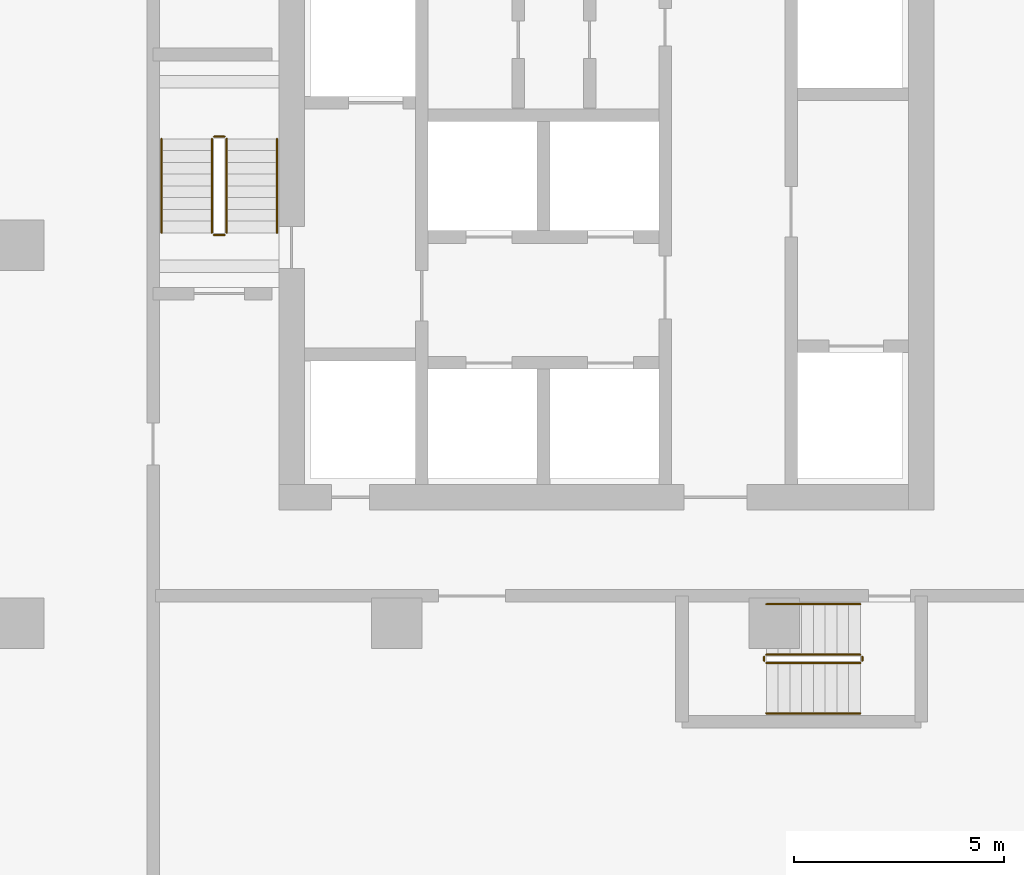
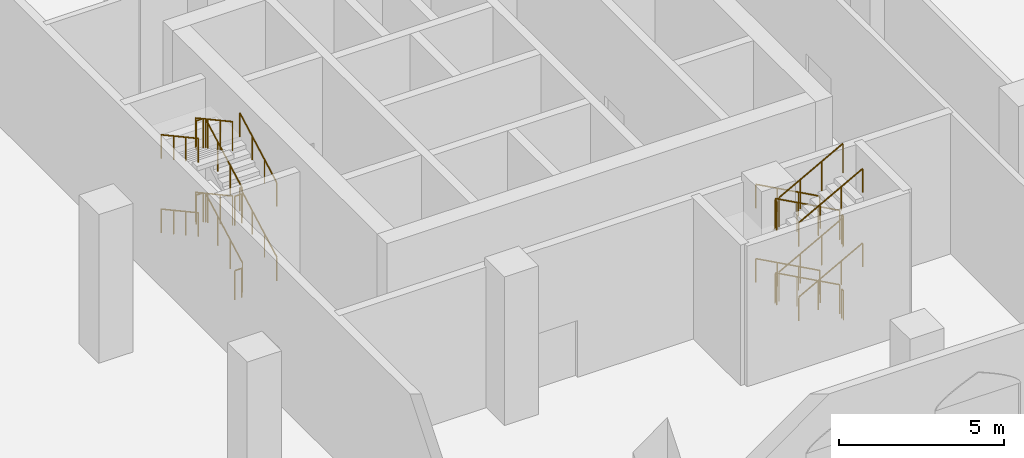
# One storey, part 30 of 31: 24 railings.
"""IFC4 building model written with IfcOpenShell, lengths in metres."""

from ifc_helpers import new_model, si_unit, direction, frame, origin, origin_2d, place, context, subcontext, project, spatial, circle, extrude, material, type_object, element, save


model = new_model("IFC4")

# Units and contexts
model_context = context("Model", 3, precision=1e-05, world=origin(), true_north=direction((0.0, 1.0)))
body_context = subcontext(model_context, "Body", "Model", "MODEL_VIEW")
ifc_project = project(units=[si_unit("LENGTHUNIT", "METRE"), si_unit("AREAUNIT", "SQUARE_METRE"), si_unit("VOLUMEUNIT", "CUBIC_METRE"), si_unit("PLANEANGLEUNIT", "RADIAN"), si_unit("MASSUNIT", "GRAM", prefix="KILO")], contexts=[model_context])

# Site, building, storey
site_placement = place(None, origin())
site = spatial("IfcSite", under=ifc_project, at=site_placement, CompositionType="ELEMENT")
building_placement = place(site_placement, origin())
building = spatial("IfcBuilding", under=site, at=building_placement, Name="Ogive Portal Towers", CompositionType="ELEMENT")
storey_placement = place(building_placement, frame((0.0, 0.0, 8.0)))
storey = spatial("IfcBuildingStorey", under=building, at=storey_placement, Name="L01", CompositionType="ELEMENT", Elevation=8.0)

# Railings
ifc_material_1 = material(Name="Stainless steel balustrade", Category="steel")
railing_type_1 = type_object("IfcRailingType", Name="INT-GUARD", PredefinedType="GUARDRAIL", material=ifc_material_1)
railing_1_placement = place(storey_placement, frame((127.449951171875, 30.800048828125, 0.15283203125)))
element("IfcRailing", 1, at=railing_1_placement, inside=storey, type_object=railing_type_1, Name="L01 ST-B1 stair guard 1", PredefinedType="GUARDRAIL", context=body_context, shape_type="SweptSolid", body=[
    extrude(circle(Radius=0.02392578125, at=origin_2d()), frame((0.0, 0.0, 1.076171875), z_axis=(0.0, 0.87783706319, 0.478959382924), x_axis=(-1.0, 0.0, 0.0)), (0.0, 0.0, 1.0), 2.5517578125),
    extrude(circle(Radius=0.02099609375, at=origin_2d()), origin(), (0.0, 0.0, 1.0), 1.052001953125),
    extrude(circle(Radius=0.02099609375, at=origin_2d()), frame((0.0, 0.74658203125, 0.407470703125)), (0.0, 0.0, 1.0), 1.052001953125),
    extrude(circle(Radius=0.02099609375, at=origin_2d()), frame((0.0, 1.493408203125, 0.814697265625)), (0.0, 0.0, 1.0), 1.052001953125),
    extrude(circle(Radius=0.02099609375, at=origin_2d()), frame((0.0, 2.239990234375, 1.22216796875)), (0.0, 0.0, 1.0), 1.052001953125),
])
railing_2_placement = place(storey_placement, frame((127.39990234375, 33.090087890625, 1.375)))
element("IfcRailing", 2, at=railing_2_placement, inside=storey, type_object=railing_type_1, Name="L01 ST-B1 stair guard 2", PredefinedType="GUARDRAIL", context=body_context, shape_type="SweptSolid", body=[
    extrude(circle(Radius=0.02392578125, at=origin_2d()), frame((0.0, 0.0, 1.076171875), z_axis=(-1.0, 0.0, 0.0), x_axis=(0.0, -1.0, 0.0)), (0.0, 0.0, 1.0), 0.25),
    extrude(circle(Radius=0.02099609375, at=origin_2d()), origin(), (0.0, 0.0, 1.0), 1.052001953125),
    extrude(circle(Radius=0.02099609375, at=origin_2d()), frame((-0.25, 0.0, 0.0)), (0.0, 0.0, 1.0), 1.052001953125),
])
railing_3_placement = place(storey_placement, frame((127.10009765625, 33.0400390625, 1.52783203125)))
element("IfcRailing", 3, at=railing_3_placement, inside=storey, type_object=railing_type_1, Name="L01 ST-B1 stair guard 3", PredefinedType="GUARDRAIL", context=body_context, shape_type="SweptSolid", body=[
    extrude(circle(Radius=0.02392578125, at=origin_2d()), frame((0.0, 0.0, 1.076171875), z_axis=(0.0, -0.87783706319, 0.478959382924), x_axis=(1.0, 0.0, 0.0)), (0.0, 0.0, 1.0), 2.5517578125),
    extrude(circle(Radius=0.02099609375, at=origin_2d()), origin(), (0.0, 0.0, 1.0), 1.052001953125),
    extrude(circle(Radius=0.02099609375, at=origin_2d()), frame((0.0, -0.74658203125, 0.407470703125)), (0.0, 0.0, 1.0), 1.052001953125),
    extrude(circle(Radius=0.02099609375, at=origin_2d()), frame((0.0, -1.493408203125, 0.814697265625)), (0.0, 0.0, 1.0), 1.052001953125),
    extrude(circle(Radius=0.02099609375, at=origin_2d()), frame((0.0, -2.239990234375, 1.22216796875)), (0.0, 0.0, 1.0), 1.052001953125),
])
railing_4_placement = place(storey_placement, frame((127.39990234375, 30.75, 2.75)))
element("IfcRailing", 4, at=railing_4_placement, inside=storey, type_object=railing_type_1, Name="L01 ST-B1 stair guard 4", PredefinedType="GUARDRAIL", context=body_context, shape_type="SweptSolid", body=[
    extrude(circle(Radius=0.02392578125, at=origin_2d()), frame((0.0, 0.0, 1.076171875), z_axis=(-1.0, 0.0, 0.0), x_axis=(0.0, -1.0, 0.0)), (0.0, 0.0, 1.0), 0.25),
    extrude(circle(Radius=0.02099609375, at=origin_2d()), origin(), (0.0, 0.0, 1.0), 1.052001953125),
    extrude(circle(Radius=0.02099609375, at=origin_2d()), frame((-0.25, 0.0, 0.0)), (0.0, 0.0, 1.0), 1.052001953125),
])
railing_5_placement = place(storey_placement, frame((127.449951171875, 30.800048828125, 2.90283203125)))
element("IfcRailing", 5, at=railing_5_placement, inside=storey, type_object=railing_type_1, Name="L01 ST-B1 stair guard 5", PredefinedType="GUARDRAIL", context=body_context, shape_type="SweptSolid", body=[
    extrude(circle(Radius=0.02392578125, at=origin_2d()), frame((0.0, 0.0, 1.076171875), z_axis=(0.0, 0.87783706319, 0.478959382924), x_axis=(-1.0, 0.0, 0.0)), (0.0, 0.0, 1.0), 2.5517578125),
    extrude(circle(Radius=0.02099609375, at=origin_2d()), origin(), (0.0, 0.0, 1.0), 1.052001953125),
    extrude(circle(Radius=0.02099609375, at=origin_2d()), frame((0.0, 0.74658203125, 0.407470703125)), (0.0, 0.0, 1.0), 1.052001953125),
    extrude(circle(Radius=0.02099609375, at=origin_2d()), frame((0.0, 1.493408203125, 0.814697265625)), (0.0, 0.0, 1.0), 1.052001953125),
    extrude(circle(Radius=0.02099609375, at=origin_2d()), frame((0.0, 2.239990234375, 1.22216796875)), (0.0, 0.0, 1.0), 1.052001953125),
])
railing_6_placement = place(storey_placement, frame((127.39990234375, 33.090087890625, 4.125)))
element("IfcRailing", 6, at=railing_6_placement, inside=storey, type_object=railing_type_1, Name="L01 ST-B1 stair guard 6", PredefinedType="GUARDRAIL", context=body_context, shape_type="SweptSolid", body=[
    extrude(circle(Radius=0.02392578125, at=origin_2d()), frame((0.0, 0.0, 1.076171875), z_axis=(-1.0, 0.0, 0.0), x_axis=(0.0, -1.0, 0.0)), (0.0, 0.0, 1.0), 0.25),
    extrude(circle(Radius=0.02099609375, at=origin_2d()), origin(), (0.0, 0.0, 1.0), 1.052001953125),
    extrude(circle(Radius=0.02099609375, at=origin_2d()), frame((-0.25, 0.0, 0.0)), (0.0, 0.0, 1.0), 1.052001953125),
])
railing_7_placement = place(storey_placement, frame((127.10009765625, 33.0400390625, 4.27783203125)))
element("IfcRailing", 7, at=railing_7_placement, inside=storey, type_object=railing_type_1, Name="L01 ST-B1 stair guard 7", PredefinedType="GUARDRAIL", context=body_context, shape_type="SweptSolid", body=[
    extrude(circle(Radius=0.02392578125, at=origin_2d()), frame((0.0, 0.0, 1.076171875), z_axis=(0.0, -0.87783706319, 0.478959382924), x_axis=(1.0, 0.0, 0.0)), (0.0, 0.0, 1.0), 2.5517578125),
    extrude(circle(Radius=0.02099609375, at=origin_2d()), origin(), (0.0, 0.0, 1.0), 1.052001953125),
    extrude(circle(Radius=0.02099609375, at=origin_2d()), frame((0.0, -0.74658203125, 0.407470703125)), (0.0, 0.0, 1.0), 1.052001953125),
    extrude(circle(Radius=0.02099609375, at=origin_2d()), frame((0.0, -1.493408203125, 0.814697265625)), (0.0, 0.0, 1.0), 1.052001953125),
    extrude(circle(Radius=0.02099609375, at=origin_2d()), frame((0.0, -2.239990234375, 1.22216796875)), (0.0, 0.0, 1.0), 1.052001953125),
])
railing_8_placement = place(storey_placement, frame((127.39990234375, 30.75, 0.0)))
element("IfcRailing", 8, at=railing_8_placement, inside=storey, type_object=railing_type_1, Name="L01 ST-B1 stair guard 8", PredefinedType="GUARDRAIL", context=body_context, shape_type="SweptSolid", body=[
    extrude(circle(Radius=0.02392578125, at=origin_2d()), frame((0.0, 0.0, 1.076171875), z_axis=(-1.0, 0.0, 0.0), x_axis=(0.0, -1.0, 0.0)), (0.0, 0.0, 1.0), 0.25),
    extrude(circle(Radius=0.02099609375, at=origin_2d()), origin(), (0.0, 0.0, 1.0), 1.052001953125),
    extrude(circle(Radius=0.02099609375, at=origin_2d()), frame((-0.25, 0.0, 0.0)), (0.0, 0.0, 1.0), 1.052001953125),
])
railing_9_placement = place(storey_placement, frame((142.550048828125, 20.75, 0.15283203125)))
element("IfcRailing", 9, at=railing_9_placement, inside=storey, type_object=railing_type_1, Name="L01 ST-B2 stair guard 1", PredefinedType="GUARDRAIL", context=body_context, shape_type="SweptSolid", body=[
    extrude(circle(Radius=0.02392578125, at=origin_2d()), frame((0.0, 0.0, 1.076171875), z_axis=(-0.87783706319, 0.0, 0.478959382924), x_axis=(0.0, -1.0, 0.0)), (0.0, 0.0, 1.0), 2.5517578125),
    extrude(circle(Radius=0.02099609375, at=origin_2d()), origin(), (0.0, 0.0, 1.0), 1.052001953125),
    extrude(circle(Radius=0.02099609375, at=origin_2d()), frame((-0.74658203125, 0.0, 0.407470703125)), (0.0, 0.0, 1.0), 1.052001953125),
    extrude(circle(Radius=0.02099609375, at=origin_2d()), frame((-1.493408203125, 0.0, 0.814697265625)), (0.0, 0.0, 1.0), 1.052001953125),
    extrude(circle(Radius=0.02099609375, at=origin_2d()), frame((-2.239990234375, 0.0, 1.22216796875)), (0.0, 0.0, 1.0), 1.052001953125),
])
railing_10_placement = place(storey_placement, frame((140.260009765625, 20.699951171875, 1.375)))
element("IfcRailing", 10, at=railing_10_placement, inside=storey, type_object=railing_type_1, Name="L01 ST-B2 stair guard 2", PredefinedType="GUARDRAIL", context=body_context, shape_type="SweptSolid", body=[
    extrude(circle(Radius=0.02392578125, at=origin_2d()), frame((0.0, 0.0, 1.076171875), z_axis=(0.0, -1.0, 0.0), x_axis=(1.0, 0.0, 0.0)), (0.0, 0.0, 1.0), 0.099853515625),
    extrude(circle(Radius=0.02099609375, at=origin_2d()), origin(), (0.0, 0.0, 1.0), 1.052001953125),
    extrude(circle(Radius=0.02099609375, at=origin_2d()), frame((0.0, -0.099853515625, 0.0)), (0.0, 0.0, 1.0), 1.052001953125),
])
railing_11_placement = place(storey_placement, frame((140.31005859375, 20.550048828125, 1.52783203125)))
element("IfcRailing", 11, at=railing_11_placement, inside=storey, type_object=railing_type_1, Name="L01 ST-B2 stair guard 3", PredefinedType="GUARDRAIL", context=body_context, shape_type="SweptSolid", body=[
    extrude(circle(Radius=0.02392578125, at=origin_2d()), frame((0.0, 0.0, 1.076171875), z_axis=(0.87783706319, 0.0, 0.478959382924), x_axis=(0.0, 1.0, 0.0)), (0.0, 0.0, 1.0), 2.5517578125),
    extrude(circle(Radius=0.02099609375, at=origin_2d()), origin(), (0.0, 0.0, 1.0), 1.052001953125),
    extrude(circle(Radius=0.02099609375, at=origin_2d()), frame((0.74658203125, 0.0, 0.407470703125)), (0.0, 0.0, 1.0), 1.052001953125),
    extrude(circle(Radius=0.02099609375, at=origin_2d()), frame((1.493408203125, 0.0, 0.814697265625)), (0.0, 0.0, 1.0), 1.052001953125),
    extrude(circle(Radius=0.02099609375, at=origin_2d()), frame((2.239990234375, 0.0, 1.22216796875)), (0.0, 0.0, 1.0), 1.052001953125),
])
railing_12_placement = place(storey_placement, frame((142.60009765625, 20.699951171875, 2.75)))
element("IfcRailing", 12, at=railing_12_placement, inside=storey, type_object=railing_type_1, Name="L01 ST-B2 stair guard 4", PredefinedType="GUARDRAIL", context=body_context, shape_type="SweptSolid", body=[
    extrude(circle(Radius=0.02392578125, at=origin_2d()), frame((0.0, 0.0, 1.076171875), z_axis=(0.0, -1.0, 0.0), x_axis=(1.0, 0.0, 0.0)), (0.0, 0.0, 1.0), 0.099853515625),
    extrude(circle(Radius=0.02099609375, at=origin_2d()), origin(), (0.0, 0.0, 1.0), 1.052001953125),
    extrude(circle(Radius=0.02099609375, at=origin_2d()), frame((0.0, -0.099853515625, 0.0)), (0.0, 0.0, 1.0), 1.052001953125),
])
railing_13_placement = place(storey_placement, frame((142.550048828125, 20.75, 2.90283203125)))
element("IfcRailing", 13, at=railing_13_placement, inside=storey, type_object=railing_type_1, Name="L01 ST-B2 stair guard 5", PredefinedType="GUARDRAIL", context=body_context, shape_type="SweptSolid", body=[
    extrude(circle(Radius=0.02392578125, at=origin_2d()), frame((0.0, 0.0, 1.076171875), z_axis=(-0.87783706319, 0.0, 0.478959382924), x_axis=(0.0, -1.0, 0.0)), (0.0, 0.0, 1.0), 2.5517578125),
    extrude(circle(Radius=0.02099609375, at=origin_2d()), origin(), (0.0, 0.0, 1.0), 1.052001953125),
    extrude(circle(Radius=0.02099609375, at=origin_2d()), frame((-0.74658203125, 0.0, 0.407470703125)), (0.0, 0.0, 1.0), 1.052001953125),
    extrude(circle(Radius=0.02099609375, at=origin_2d()), frame((-1.493408203125, 0.0, 0.814697265625)), (0.0, 0.0, 1.0), 1.052001953125),
    extrude(circle(Radius=0.02099609375, at=origin_2d()), frame((-2.239990234375, 0.0, 1.22216796875)), (0.0, 0.0, 1.0), 1.052001953125),
])
railing_14_placement = place(storey_placement, frame((140.260009765625, 20.699951171875, 4.125)))
element("IfcRailing", 14, at=railing_14_placement, inside=storey, type_object=railing_type_1, Name="L01 ST-B2 stair guard 6", PredefinedType="GUARDRAIL", context=body_context, shape_type="SweptSolid", body=[
    extrude(circle(Radius=0.02392578125, at=origin_2d()), frame((0.0, 0.0, 1.076171875), z_axis=(0.0, -1.0, 0.0), x_axis=(1.0, 0.0, 0.0)), (0.0, 0.0, 1.0), 0.099853515625),
    extrude(circle(Radius=0.02099609375, at=origin_2d()), origin(), (0.0, 0.0, 1.0), 1.052001953125),
    extrude(circle(Radius=0.02099609375, at=origin_2d()), frame((0.0, -0.099853515625, 0.0)), (0.0, 0.0, 1.0), 1.052001953125),
])
railing_15_placement = place(storey_placement, frame((140.31005859375, 20.550048828125, 4.27783203125)))
element("IfcRailing", 15, at=railing_15_placement, inside=storey, type_object=railing_type_1, Name="L01 ST-B2 stair guard 7", PredefinedType="GUARDRAIL", context=body_context, shape_type="SweptSolid", body=[
    extrude(circle(Radius=0.02392578125, at=origin_2d()), frame((0.0, 0.0, 1.076171875), z_axis=(0.87783706319, 0.0, 0.478959382924), x_axis=(0.0, 1.0, 0.0)), (0.0, 0.0, 1.0), 2.5517578125),
    extrude(circle(Radius=0.02099609375, at=origin_2d()), origin(), (0.0, 0.0, 1.0), 1.052001953125),
    extrude(circle(Radius=0.02099609375, at=origin_2d()), frame((0.74658203125, 0.0, 0.407470703125)), (0.0, 0.0, 1.0), 1.052001953125),
    extrude(circle(Radius=0.02099609375, at=origin_2d()), frame((1.493408203125, 0.0, 0.814697265625)), (0.0, 0.0, 1.0), 1.052001953125),
    extrude(circle(Radius=0.02099609375, at=origin_2d()), frame((2.239990234375, 0.0, 1.22216796875)), (0.0, 0.0, 1.0), 1.052001953125),
])
railing_16_placement = place(storey_placement, frame((142.60009765625, 20.699951171875, 0.0)))
element("IfcRailing", 16, at=railing_16_placement, inside=storey, type_object=railing_type_1, Name="L01 ST-B2 stair guard 8", PredefinedType="GUARDRAIL", context=body_context, shape_type="SweptSolid", body=[
    extrude(circle(Radius=0.02392578125, at=origin_2d()), frame((0.0, 0.0, 1.076171875), z_axis=(0.0, -1.0, 0.0), x_axis=(1.0, 0.0, 0.0)), (0.0, 0.0, 1.0), 0.099853515625),
    extrude(circle(Radius=0.02099609375, at=origin_2d()), origin(), (0.0, 0.0, 1.0), 1.052001953125),
    extrude(circle(Radius=0.02099609375, at=origin_2d()), frame((0.0, -0.099853515625, 0.0)), (0.0, 0.0, 1.0), 1.052001953125),
])
ifc_material_2 = material(Name="Stainless steel handrail", Category="steel")
railing_type_2 = type_object("IfcRailingType", Name="INT-HANDRAIL", PredefinedType="HANDRAIL", material=ifc_material_2)
railing_17_placement = place(storey_placement, frame((128.64990234375, 30.800048828125, 0.15283203125)))
element("IfcRailing", 17, at=railing_17_placement, inside=storey, type_object=railing_type_2, Name="L01 ST-B1 stair handrail 1", PredefinedType="HANDRAIL", context=body_context, shape_type="SweptSolid", body=[
    extrude(circle(Radius=0.02392578125, at=origin_2d()), frame((0.0, 0.0, 0.8759765625), z_axis=(0.0, 0.87783706319, 0.478959382924), x_axis=(-1.0, 0.0, 0.0)), (0.0, 0.0, 1.0), 2.5517578125),
    extrude(circle(Radius=0.02099609375, at=origin_2d()), origin(), (0.0, 0.0, 1.0), 0.851806640625),
    extrude(circle(Radius=0.02099609375, at=origin_2d()), frame((0.0, 0.74658203125, 0.407470703125)), (0.0, 0.0, 1.0), 0.851806640625),
    extrude(circle(Radius=0.02099609375, at=origin_2d()), frame((0.0, 1.493408203125, 0.814697265625)), (0.0, 0.0, 1.0), 0.851806640625),
    extrude(circle(Radius=0.02099609375, at=origin_2d()), frame((0.0, 2.239990234375, 1.22216796875)), (0.0, 0.0, 1.0), 0.851806640625),
])
railing_18_placement = place(storey_placement, frame((125.89990234375, 33.0400390625, 1.52783203125)))
element("IfcRailing", 18, at=railing_18_placement, inside=storey, type_object=railing_type_2, Name="L01 ST-B1 stair handrail 2", PredefinedType="HANDRAIL", context=body_context, shape_type="SweptSolid", body=[
    extrude(circle(Radius=0.02392578125, at=origin_2d()), frame((0.0, 0.0, 0.8759765625), z_axis=(0.0, -0.87783706319, 0.478959382924), x_axis=(1.0, 0.0, 0.0)), (0.0, 0.0, 1.0), 2.5517578125),
    extrude(circle(Radius=0.02099609375, at=origin_2d()), origin(), (0.0, 0.0, 1.0), 0.851806640625),
    extrude(circle(Radius=0.02099609375, at=origin_2d()), frame((0.0, -0.74658203125, 0.407470703125)), (0.0, 0.0, 1.0), 0.851806640625),
    extrude(circle(Radius=0.02099609375, at=origin_2d()), frame((0.0, -1.493408203125, 0.814697265625)), (0.0, 0.0, 1.0), 0.851806640625),
    extrude(circle(Radius=0.02099609375, at=origin_2d()), frame((0.0, -2.239990234375, 1.22216796875)), (0.0, 0.0, 1.0), 0.851806640625),
])
railing_19_placement = place(storey_placement, frame((128.64990234375, 30.800048828125, 2.90283203125)))
element("IfcRailing", 19, at=railing_19_placement, inside=storey, type_object=railing_type_2, Name="L01 ST-B1 stair handrail 3", PredefinedType="HANDRAIL", context=body_context, shape_type="SweptSolid", body=[
    extrude(circle(Radius=0.02392578125, at=origin_2d()), frame((0.0, 0.0, 0.8759765625), z_axis=(0.0, 0.87783706319, 0.478959382924), x_axis=(-1.0, 0.0, 0.0)), (0.0, 0.0, 1.0), 2.5517578125),
    extrude(circle(Radius=0.02099609375, at=origin_2d()), origin(), (0.0, 0.0, 1.0), 0.851806640625),
    extrude(circle(Radius=0.02099609375, at=origin_2d()), frame((0.0, 0.74658203125, 0.407470703125)), (0.0, 0.0, 1.0), 0.851806640625),
    extrude(circle(Radius=0.02099609375, at=origin_2d()), frame((0.0, 1.493408203125, 0.814697265625)), (0.0, 0.0, 1.0), 0.851806640625),
    extrude(circle(Radius=0.02099609375, at=origin_2d()), frame((0.0, 2.239990234375, 1.22216796875)), (0.0, 0.0, 1.0), 0.851806640625),
])
railing_20_placement = place(storey_placement, frame((125.89990234375, 33.0400390625, 4.27783203125)))
element("IfcRailing", 20, at=railing_20_placement, inside=storey, type_object=railing_type_2, Name="L01 ST-B1 stair handrail 4", PredefinedType="HANDRAIL", context=body_context, shape_type="SweptSolid", body=[
    extrude(circle(Radius=0.02392578125, at=origin_2d()), frame((0.0, 0.0, 0.8759765625), z_axis=(0.0, -0.87783706319, 0.478959382924), x_axis=(1.0, 0.0, 0.0)), (0.0, 0.0, 1.0), 2.5517578125),
    extrude(circle(Radius=0.02099609375, at=origin_2d()), origin(), (0.0, 0.0, 1.0), 0.851806640625),
    extrude(circle(Radius=0.02099609375, at=origin_2d()), frame((0.0, -0.74658203125, 0.407470703125)), (0.0, 0.0, 1.0), 0.851806640625),
    extrude(circle(Radius=0.02099609375, at=origin_2d()), frame((0.0, -1.493408203125, 0.814697265625)), (0.0, 0.0, 1.0), 0.851806640625),
    extrude(circle(Radius=0.02099609375, at=origin_2d()), frame((0.0, -2.239990234375, 1.22216796875)), (0.0, 0.0, 1.0), 0.851806640625),
])
railing_21_placement = place(storey_placement, frame((142.550048828125, 21.949951171875, 0.15283203125)))
element("IfcRailing", 21, at=railing_21_placement, inside=storey, type_object=railing_type_2, Name="L01 ST-B2 stair handrail 1", PredefinedType="HANDRAIL", context=body_context, shape_type="SweptSolid", body=[
    extrude(circle(Radius=0.02392578125, at=origin_2d()), frame((0.0, 0.0, 0.8759765625), z_axis=(-0.87783706319, 0.0, 0.478959382924), x_axis=(0.0, -1.0, 0.0)), (0.0, 0.0, 1.0), 2.5517578125),
    extrude(circle(Radius=0.02099609375, at=origin_2d()), origin(), (0.0, 0.0, 1.0), 0.851806640625),
    extrude(circle(Radius=0.02099609375, at=origin_2d()), frame((-0.74658203125, 0.0, 0.407470703125)), (0.0, 0.0, 1.0), 0.851806640625),
    extrude(circle(Radius=0.02099609375, at=origin_2d()), frame((-1.493408203125, 0.0, 0.814697265625)), (0.0, 0.0, 1.0), 0.851806640625),
    extrude(circle(Radius=0.02099609375, at=origin_2d()), frame((-2.239990234375, 0.0, 1.22216796875)), (0.0, 0.0, 1.0), 0.851806640625),
])
railing_22_placement = place(storey_placement, frame((140.31005859375, 19.35009765625, 1.52783203125)))
element("IfcRailing", 22, at=railing_22_placement, inside=storey, type_object=railing_type_2, Name="L01 ST-B2 stair handrail 2", PredefinedType="HANDRAIL", context=body_context, shape_type="SweptSolid", body=[
    extrude(circle(Radius=0.02392578125, at=origin_2d()), frame((0.0, 0.0, 0.8759765625), z_axis=(0.87783706319, 0.0, 0.478959382924), x_axis=(0.0, 1.0, 0.0)), (0.0, 0.0, 1.0), 2.5517578125),
    extrude(circle(Radius=0.02099609375, at=origin_2d()), origin(), (0.0, 0.0, 1.0), 0.851806640625),
    extrude(circle(Radius=0.02099609375, at=origin_2d()), frame((0.74658203125, 0.0, 0.407470703125)), (0.0, 0.0, 1.0), 0.851806640625),
    extrude(circle(Radius=0.02099609375, at=origin_2d()), frame((1.493408203125, 0.0, 0.814697265625)), (0.0, 0.0, 1.0), 0.851806640625),
    extrude(circle(Radius=0.02099609375, at=origin_2d()), frame((2.239990234375, 0.0, 1.22216796875)), (0.0, 0.0, 1.0), 0.851806640625),
])
railing_23_placement = place(storey_placement, frame((142.550048828125, 21.949951171875, 2.90283203125)))
element("IfcRailing", 23, at=railing_23_placement, inside=storey, type_object=railing_type_2, Name="L01 ST-B2 stair handrail 3", PredefinedType="HANDRAIL", context=body_context, shape_type="SweptSolid", body=[
    extrude(circle(Radius=0.02392578125, at=origin_2d()), frame((0.0, 0.0, 0.8759765625), z_axis=(-0.87783706319, 0.0, 0.478959382924), x_axis=(0.0, -1.0, 0.0)), (0.0, 0.0, 1.0), 2.5517578125),
    extrude(circle(Radius=0.02099609375, at=origin_2d()), origin(), (0.0, 0.0, 1.0), 0.851806640625),
    extrude(circle(Radius=0.02099609375, at=origin_2d()), frame((-0.74658203125, 0.0, 0.407470703125)), (0.0, 0.0, 1.0), 0.851806640625),
    extrude(circle(Radius=0.02099609375, at=origin_2d()), frame((-1.493408203125, 0.0, 0.814697265625)), (0.0, 0.0, 1.0), 0.851806640625),
    extrude(circle(Radius=0.02099609375, at=origin_2d()), frame((-2.239990234375, 0.0, 1.22216796875)), (0.0, 0.0, 1.0), 0.851806640625),
])
railing_24_placement = place(storey_placement, frame((140.31005859375, 19.35009765625, 4.27783203125)))
element("IfcRailing", 24, at=railing_24_placement, inside=storey, type_object=railing_type_2, Name="L01 ST-B2 stair handrail 4", PredefinedType="HANDRAIL", context=body_context, shape_type="SweptSolid", body=[
    extrude(circle(Radius=0.02392578125, at=origin_2d()), frame((0.0, 0.0, 0.8759765625), z_axis=(0.87783706319, 0.0, 0.478959382924), x_axis=(0.0, 1.0, 0.0)), (0.0, 0.0, 1.0), 2.5517578125),
    extrude(circle(Radius=0.02099609375, at=origin_2d()), origin(), (0.0, 0.0, 1.0), 0.851806640625),
    extrude(circle(Radius=0.02099609375, at=origin_2d()), frame((0.74658203125, 0.0, 0.407470703125)), (0.0, 0.0, 1.0), 0.851806640625),
    extrude(circle(Radius=0.02099609375, at=origin_2d()), frame((1.493408203125, 0.0, 0.814697265625)), (0.0, 0.0, 1.0), 0.851806640625),
    extrude(circle(Radius=0.02099609375, at=origin_2d()), frame((2.239990234375, 0.0, 1.22216796875)), (0.0, 0.0, 1.0), 0.851806640625),
])

save(model, "model.ifc")
